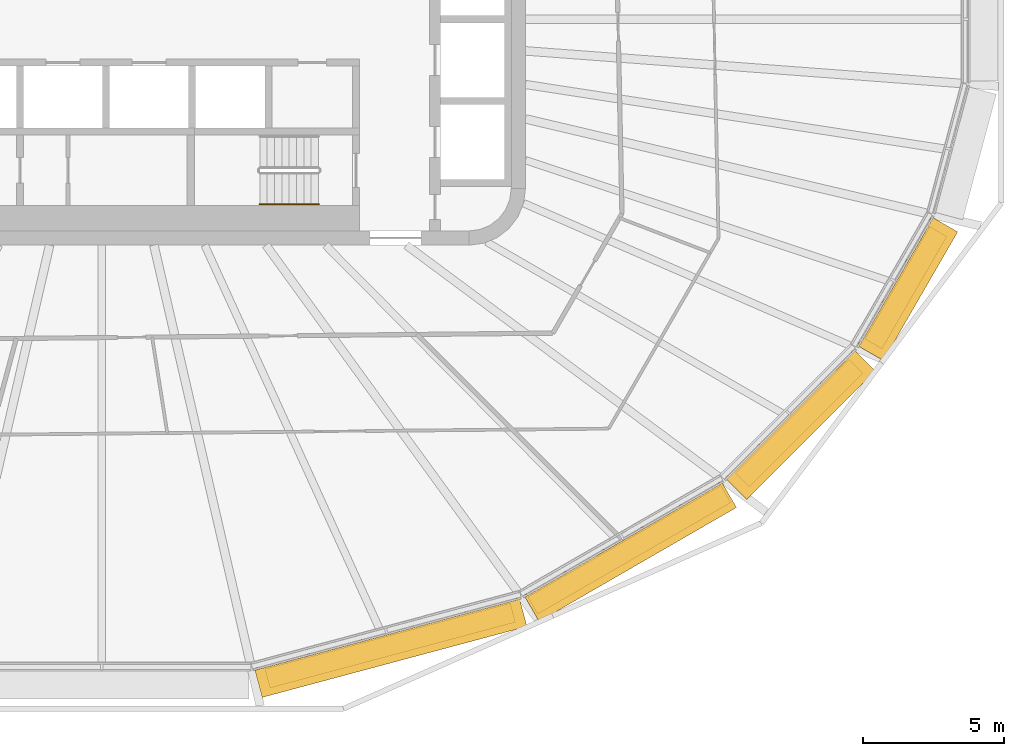
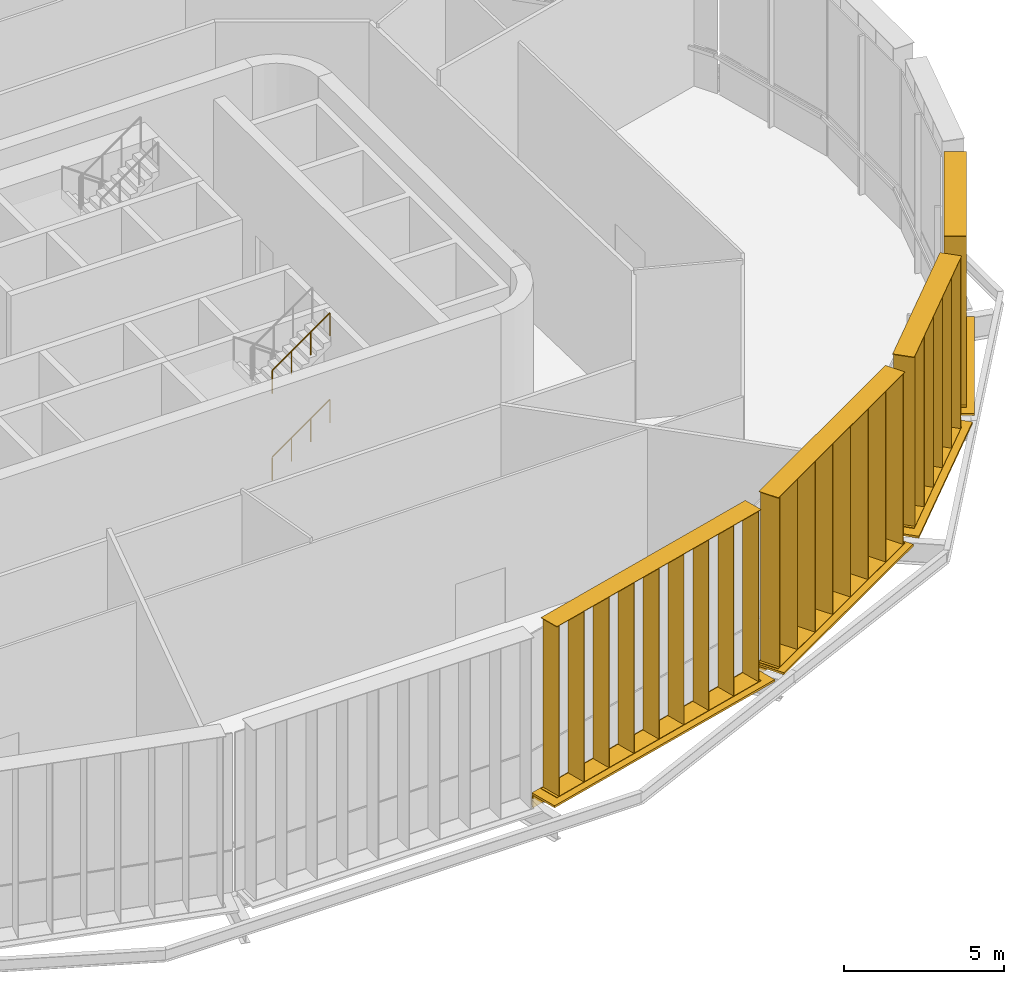
# One storey, part 16 of 18: 8 shading devices, 2 railings.
"""IFC4 building model written with IfcOpenShell, lengths in metres."""

from ifc_helpers import new_model, si_unit, direction, frame, origin, origin_2d, place, context, subcontext, project, spatial, rectangle, circle, extrude, material, type_object, element, save


model = new_model("IFC4")

# Units and contexts
model_context = context("Model", 3, precision=1e-05, world=origin(), true_north=direction((0.0, 1.0)))
body_context = subcontext(model_context, "Body", "Model", "MODEL_VIEW")
ifc_project = project(units=[si_unit("LENGTHUNIT", "METRE"), si_unit("AREAUNIT", "SQUARE_METRE"), si_unit("VOLUMEUNIT", "CUBIC_METRE"), si_unit("PLANEANGLEUNIT", "RADIAN"), si_unit("MASSUNIT", "GRAM", prefix="KILO")], contexts=[model_context])

# Site, building, storey
site_placement = place(None, origin())
site = spatial("IfcSite", under=ifc_project, at=site_placement, CompositionType="ELEMENT")
building_placement = place(site_placement, origin())
building = spatial("IfcBuilding", under=site, at=building_placement, Name="Sahrelin Media Tower", CompositionType="ELEMENT")
storey_placement = place(building_placement, frame((0.0, 0.0, 203.0)))
storey = spatial("IfcBuildingStorey", under=building, at=storey_placement, Name="L43", CompositionType="ELEMENT", Elevation=203.0)

# Shading devices
ifc_material_1 = material(Name="Champagne anodised aluminium 6063-T6", Category="aluminium")
shading_device_type_1 = type_object("IfcShadingDeviceType", Name="Fin cassette", PredefinedType="USERDEFINED", material=ifc_material_1)
placement_1 = place(storey_placement, frame((10.102294921875, -21.7705078125, 0.0), z_axis=(0.0, 0.0, 1.0), x_axis=(-0.965928857556, -0.258807731996, 0.0)))
element("IfcShadingDevice", 1, at=placement_1, inside=storey, type_object=shading_device_type_1, Name="L43:FIN:L43-19", ObjectType="FIN", PredefinedType="USERDEFINED", context=body_context, shape_type="SweptSolid", body=[
    extrude(rectangle(XDim=9.0, YDim=0.699951171875, at=origin_2d()), frame((0.0, 0.419921875, 0.0)), (0.0, 0.0, 1.0), 0.02001953125),
    extrude(rectangle(XDim=9.0, YDim=0.699951171875, at=origin_2d()), frame((0.0, 0.419921875, 6.5)), (0.0, 0.0, 1.0), 0.02001953125),
    extrude(rectangle(XDim=0.02001953125, YDim=0.699951171875, at=origin_2d()), frame((-4.39990234375, 0.419921875, 0.010009765625), z_axis=(0.0, 0.0, 1.0), x_axis=(1.0, 0.0, 0.0)), (0.0, 0.0, 1.0), 6.5),
    extrude(rectangle(XDim=0.02001953125, YDim=0.699951171875, at=origin_2d()), frame((-3.300048828125, 0.419921875, 0.010009765625), z_axis=(0.0, 0.0, 1.0), x_axis=(1.0, 0.0, 0.0)), (0.0, 0.0, 1.0), 6.5),
    extrude(rectangle(XDim=0.02001953125, YDim=0.699951171875, at=origin_2d()), frame((-2.199951171875, 0.419921875, 0.010009765625), z_axis=(0.0, 0.0, 1.0), x_axis=(1.0, 0.0, 0.0)), (0.0, 0.0, 1.0), 6.5),
    extrude(rectangle(XDim=0.02001953125, YDim=0.699951171875, at=origin_2d()), frame((-1.10009765625, 0.419921875, 0.010009765625), z_axis=(0.0, 0.0, 1.0), x_axis=(1.0, 0.0, 0.0)), (0.0, 0.0, 1.0), 6.5),
    extrude(rectangle(XDim=0.02001953125, YDim=0.699951171875, at=origin_2d()), frame((0.0, 0.419921875, 0.010009765625), z_axis=(0.0, 0.0, 1.0), x_axis=(1.0, 0.0, 0.0)), (0.0, 0.0, 1.0), 6.5),
    extrude(rectangle(XDim=0.02001953125, YDim=0.699951171875, at=origin_2d()), frame((1.10009765625, 0.419921875, 0.010009765625), z_axis=(0.0, 0.0, 1.0), x_axis=(1.0, 0.0, 0.0)), (0.0, 0.0, 1.0), 6.5),
    extrude(rectangle(XDim=0.02001953125, YDim=0.699951171875, at=origin_2d()), frame((2.199951171875, 0.419921875, 0.010009765625), z_axis=(0.0, 0.0, 1.0), x_axis=(1.0, 0.0, 0.0)), (0.0, 0.0, 1.0), 6.5),
    extrude(rectangle(XDim=0.02001953125, YDim=0.699951171875, at=origin_2d()), frame((3.300048828125, 0.419921875, 0.010009765625), z_axis=(0.0, 0.0, 1.0), x_axis=(1.0, 0.0, 0.0)), (0.0, 0.0, 1.0), 6.5),
    extrude(rectangle(XDim=0.02001953125, YDim=0.699951171875, at=origin_2d()), frame((4.39990234375, 0.419921875, 0.010009765625), z_axis=(0.0, 0.0, 1.0), x_axis=(1.0, 0.0, 0.0)), (0.0, 0.0, 1.0), 6.5),
])
placement_2 = place(storey_placement, frame((18.46728515625, -18.421142578125, 0.0), z_axis=(0.0, 0.0, 1.0), x_axis=(-0.866019052629, -0.500011000363, 0.0)))
element("IfcShadingDevice", 2, at=placement_2, inside=storey, type_object=shading_device_type_1, Name="L43:FIN:L43-20", ObjectType="FIN", PredefinedType="USERDEFINED", context=body_context, shape_type="SweptSolid", body=[
    extrude(rectangle(XDim=7.89990234375, YDim=0.699951171875, at=origin_2d()), frame((0.0, 0.419921875, 0.0)), (0.0, 0.0, 1.0), 0.02001953125),
    extrude(rectangle(XDim=7.89990234375, YDim=0.699951171875, at=origin_2d()), frame((0.0, 0.419921875, 6.5)), (0.0, 0.0, 1.0), 0.02001953125),
    extrude(rectangle(XDim=0.02001953125, YDim=0.699951171875, at=origin_2d()), frame((-3.85009765625, 0.419921875, 0.010009765625), z_axis=(0.0, 0.0, 1.0), x_axis=(1.0, 0.0, 0.0)), (0.0, 0.0, 1.0), 6.5),
    extrude(rectangle(XDim=0.02001953125, YDim=0.699951171875, at=origin_2d()), frame((-2.75, 0.419921875, 0.010009765625), z_axis=(0.0, 0.0, 1.0), x_axis=(1.0, 0.0, 0.0)), (0.0, 0.0, 1.0), 6.5),
    extrude(rectangle(XDim=0.02001953125, YDim=0.699951171875, at=origin_2d()), frame((-1.64990234375, 0.419921875, 0.010009765625), z_axis=(0.0, 0.0, 1.0), x_axis=(1.0, 0.0, 0.0)), (0.0, 0.0, 1.0), 6.5),
    extrude(rectangle(XDim=0.02001953125, YDim=0.699951171875, at=origin_2d()), frame((-0.550048828125, 0.419921875, 0.010009765625), z_axis=(0.0, 0.0, 1.0), x_axis=(1.0, 0.0, 0.0)), (0.0, 0.0, 1.0), 6.5),
    extrude(rectangle(XDim=0.02001953125, YDim=0.699951171875, at=origin_2d()), frame((0.550048828125, 0.419921875, 0.010009765625), z_axis=(0.0, 0.0, 1.0), x_axis=(1.0, 0.0, 0.0)), (0.0, 0.0, 1.0), 6.5),
    extrude(rectangle(XDim=0.02001953125, YDim=0.699951171875, at=origin_2d()), frame((1.64990234375, 0.419921875, 0.010009765625), z_axis=(0.0, 0.0, 1.0), x_axis=(1.0, 0.0, 0.0)), (0.0, 0.0, 1.0), 6.5),
    extrude(rectangle(XDim=0.02001953125, YDim=0.699951171875, at=origin_2d()), frame((2.75, 0.419921875, 0.010009765625), z_axis=(0.0, 0.0, 1.0), x_axis=(1.0, 0.0, 0.0)), (0.0, 0.0, 1.0), 6.5),
    extrude(rectangle(XDim=0.02001953125, YDim=0.699951171875, at=origin_2d()), frame((3.85009765625, 0.419921875, 0.010009765625), z_axis=(0.0, 0.0, 1.0), x_axis=(1.0, 0.0, 0.0)), (0.0, 0.0, 1.0), 6.5),
])
placement_3 = place(storey_placement, frame((24.3935546875, -14.00830078125, 0.0), z_axis=(0.0, 0.0, 1.0), x_axis=(-0.707106781187, -0.707106781187, 0.0)))
element("IfcShadingDevice", 3, at=placement_3, inside=storey, type_object=shading_device_type_1, Name="L43:FIN:L43-21", ObjectType="FIN", PredefinedType="USERDEFINED", context=body_context, shape_type="SweptSolid", body=[
    extrude(rectangle(XDim=5.699951171875, YDim=0.699951171875, at=origin_2d()), frame((0.0, 0.419921875, 0.0)), (0.0, 0.0, 1.0), 0.02001953125),
    extrude(rectangle(XDim=5.699951171875, YDim=0.699951171875, at=origin_2d()), frame((0.0, 0.419921875, 6.5)), (0.0, 0.0, 1.0), 0.02001953125),
    extrude(rectangle(XDim=0.02001953125, YDim=0.699951171875, at=origin_2d()), frame((-2.75, 0.419921875, 0.010009765625), z_axis=(0.0, 0.0, 1.0), x_axis=(1.0, 0.0, 0.0)), (0.0, 0.0, 1.0), 6.5),
    extrude(rectangle(XDim=0.02001953125, YDim=0.699951171875, at=origin_2d()), frame((-1.64990234375, 0.419921875, 0.010009765625), z_axis=(0.0, 0.0, 1.0), x_axis=(1.0, 0.0, 0.0)), (0.0, 0.0, 1.0), 6.5),
    extrude(rectangle(XDim=0.02001953125, YDim=0.699951171875, at=origin_2d()), frame((-0.550048828125, 0.419921875, 0.010009765625), z_axis=(0.0, 0.0, 1.0), x_axis=(1.0, 0.0, 0.0)), (0.0, 0.0, 1.0), 6.5),
    extrude(rectangle(XDim=0.02001953125, YDim=0.699951171875, at=origin_2d()), frame((0.550048828125, 0.419921875, 0.010009765625), z_axis=(0.0, 0.0, 1.0), x_axis=(1.0, 0.0, 0.0)), (0.0, 0.0, 1.0), 6.5),
    extrude(rectangle(XDim=0.02001953125, YDim=0.699951171875, at=origin_2d()), frame((1.64990234375, 0.419921875, 0.010009765625), z_axis=(0.0, 0.0, 1.0), x_axis=(1.0, 0.0, 0.0)), (0.0, 0.0, 1.0), 6.5),
    extrude(rectangle(XDim=0.02001953125, YDim=0.699951171875, at=origin_2d()), frame((2.75, 0.419921875, 0.010009765625), z_axis=(0.0, 0.0, 1.0), x_axis=(1.0, 0.0, 0.0)), (0.0, 0.0, 1.0), 6.5),
])
placement_4 = place(storey_placement, frame((28.10498046875, -9.297119140625, 0.0), z_axis=(0.0, 0.0, 1.0), x_axis=(-0.500011000363, -0.866019052629, 0.0)))
element("IfcShadingDevice", 4, at=placement_4, inside=storey, type_object=shading_device_type_1, Name="L43:FIN:L43-22", ObjectType="FIN", PredefinedType="USERDEFINED", context=body_context, shape_type="SweptSolid", body=[
    extrude(rectangle(XDim=4.60009765625, YDim=0.699951171875, at=origin_2d()), frame((0.0, 0.419921875, 0.0)), (0.0, 0.0, 1.0), 0.02001953125),
    extrude(rectangle(XDim=4.60009765625, YDim=0.699951171875, at=origin_2d()), frame((0.0, 0.419921875, 6.5)), (0.0, 0.0, 1.0), 0.02001953125),
    extrude(rectangle(XDim=0.02001953125, YDim=0.699951171875, at=origin_2d()), frame((-2.199951171875, 0.419921875, 0.010009765625), z_axis=(0.0, 0.0, 1.0), x_axis=(1.0, 0.0, 0.0)), (0.0, 0.0, 1.0), 6.5),
    extrude(rectangle(XDim=0.02001953125, YDim=0.699951171875, at=origin_2d()), frame((-1.10009765625, 0.419921875, 0.010009765625), z_axis=(0.0, 0.0, 1.0), x_axis=(1.0, 0.0, 0.0)), (0.0, 0.0, 1.0), 6.5),
    extrude(rectangle(XDim=0.02001953125, YDim=0.699951171875, at=origin_2d()), frame((0.0, 0.419921875, 0.010009765625), z_axis=(0.0, 0.0, 1.0), x_axis=(1.0, 0.0, 0.0)), (0.0, 0.0, 1.0), 6.5),
    extrude(rectangle(XDim=0.02001953125, YDim=0.699951171875, at=origin_2d()), frame((1.10009765625, 0.419921875, 0.010009765625), z_axis=(0.0, 0.0, 1.0), x_axis=(1.0, 0.0, 0.0)), (0.0, 0.0, 1.0), 6.5),
    extrude(rectangle(XDim=0.02001953125, YDim=0.699951171875, at=origin_2d()), frame((2.199951171875, 0.419921875, 0.010009765625), z_axis=(0.0, 0.0, 1.0), x_axis=(1.0, 0.0, 0.0)), (0.0, 0.0, 1.0), 6.5),
])

# Railings
ifc_material_2 = material(Name="Steel S355", Category="steel")
railing_type = type_object("IfcRailingType", Name="Stair handrail 900", PredefinedType="HANDRAIL", material=ifc_material_2)
for number, where, name in (
    (5, (5.594970703125, -6.550048828125, 1.833251953125), "L43 ST2 stair handrail 2"),
    (6, (5.594970703125, -6.550048828125, 5.13330078125), "L43 ST2 stair handrail 4"),
):
    element("IfcRailing", number, at=place(storey_placement, frame(where)), inside=storey, type_object=railing_type, Name=name, PredefinedType="HANDRAIL", context=body_context, shape_type="SweptSolid", body=[
        extrude(circle(Radius=0.02392578125, at=origin_2d()), frame((0.0, 0.0, 0.8759765625), z_axis=(0.81724423362, 0.0, 0.576291473661), x_axis=(0.0, 1.0, 0.0)), (0.0, 0.0, 1.0), 2.545166015625),
        extrude(circle(Radius=0.02099609375, at=origin_2d()), origin(), (0.0, 0.0, 1.0), 0.851806640625),
        extrude(circle(Radius=0.02099609375, at=origin_2d()), frame((0.693359375, 0.0, 0.489013671875)), (0.0, 0.0, 1.0), 0.851806640625),
        extrude(circle(Radius=0.02099609375, at=origin_2d()), frame((1.38671875, 0.0, 0.977783203125)), (0.0, 0.0, 1.0), 0.851806640625),
        extrude(circle(Radius=0.02099609375, at=origin_2d()), frame((2.080078125, 0.0, 1.466796875)), (0.0, 0.0, 1.0), 0.851806640625),
    ])

# Shading devices
shading_device_type_2 = type_object("IfcShadingDeviceType", Name="Sunshade band", PredefinedType="USERDEFINED", material=ifc_material_1)
element("IfcShadingDevice", 7, at=placement_1, inside=storey, type_object=shading_device_type_2, Name="L43:SUN:L43-19", ObjectType="SUNSHADE", PredefinedType="USERDEFINED", context=body_context, shape_type="SweptSolid", body=[
    extrude(rectangle(XDim=9.706787109375, YDim=0.050048828125, at=origin_2d()), frame((0.0, 0.044921875, -0.55126953125)), (0.0, 0.0, 1.0), 0.471435546875),
    extrude(rectangle(XDim=9.706787109375, YDim=1.0, at=origin_2d()), frame((0.0, 0.52001953125, -0.080078125)), (0.0, 0.0, 1.0), 0.080078125),
    extrude(rectangle(XDim=0.10009765625, YDim=0.074951171875, at=origin_2d()), frame((-4.75341796875, -0.017578125, -0.52001953125)), (0.0, 0.0, 1.0), 0.300048828125),
    extrude(rectangle(XDim=0.10009765625, YDim=0.074951171875, at=origin_2d()), frame((-2.85205078125, -0.017578125, -0.52001953125)), (0.0, 0.0, 1.0), 0.300048828125),
    extrude(rectangle(XDim=0.10009765625, YDim=0.074951171875, at=origin_2d()), frame((-0.95068359375, -0.017578125, -0.52001953125)), (0.0, 0.0, 1.0), 0.300048828125),
    extrude(rectangle(XDim=0.10009765625, YDim=0.074951171875, at=origin_2d()), frame((0.95068359375, -0.017578125, -0.52001953125)), (0.0, 0.0, 1.0), 0.300048828125),
    extrude(rectangle(XDim=0.10009765625, YDim=0.074951171875, at=origin_2d()), frame((2.85205078125, -0.017578125, -0.52001953125)), (0.0, 0.0, 1.0), 0.300048828125),
    extrude(rectangle(XDim=0.10009765625, YDim=0.074951171875, at=origin_2d()), frame((4.75341796875, -0.017578125, -0.52001953125)), (0.0, 0.0, 1.0), 0.300048828125),
])
element("IfcShadingDevice", 8, at=placement_2, inside=storey, type_object=shading_device_type_2, Name="L43:SUN:L43-20", ObjectType="SUNSHADE", PredefinedType="USERDEFINED", context=body_context, shape_type="SweptSolid", body=[
    extrude(rectangle(XDim=8.068359375, YDim=0.050048828125, at=origin_2d()), frame((0.0, 0.044921875, -0.55126953125)), (0.0, 0.0, 1.0), 0.471435546875),
    extrude(rectangle(XDim=8.068359375, YDim=1.0, at=origin_2d()), frame((0.0, 0.52001953125, -0.080078125)), (0.0, 0.0, 1.0), 0.080078125),
    extrude(rectangle(XDim=0.10009765625, YDim=0.074951171875, at=origin_2d()), frame((-3.93408203125, -0.017578125, -0.52001953125)), (0.0, 0.0, 1.0), 0.300048828125),
    extrude(rectangle(XDim=0.10009765625, YDim=0.074951171875, at=origin_2d()), frame((-2.360595703125, -0.017578125, -0.52001953125)), (0.0, 0.0, 1.0), 0.300048828125),
    extrude(rectangle(XDim=0.10009765625, YDim=0.074951171875, at=origin_2d()), frame((-0.786865234375, -0.017578125, -0.52001953125)), (0.0, 0.0, 1.0), 0.300048828125),
    extrude(rectangle(XDim=0.10009765625, YDim=0.074951171875, at=origin_2d()), frame((0.786865234375, -0.017578125, -0.52001953125)), (0.0, 0.0, 1.0), 0.300048828125),
    extrude(rectangle(XDim=0.10009765625, YDim=0.074951171875, at=origin_2d()), frame((2.360595703125, -0.017578125, -0.52001953125)), (0.0, 0.0, 1.0), 0.300048828125),
    extrude(rectangle(XDim=0.10009765625, YDim=0.074951171875, at=origin_2d()), frame((3.93408203125, -0.017578125, -0.52001953125)), (0.0, 0.0, 1.0), 0.300048828125),
])
element("IfcShadingDevice", 9, at=placement_3, inside=storey, type_object=shading_device_type_2, Name="L43:SUN:L43-21", ObjectType="SUNSHADE", PredefinedType="USERDEFINED", context=body_context, shape_type="SweptSolid", body=[
    extrude(rectangle(XDim=6.435302734375, YDim=0.050048828125, at=origin_2d()), frame((0.0, 0.044921875, -0.55126953125)), (0.0, 0.0, 1.0), 0.471435546875),
    extrude(rectangle(XDim=6.435302734375, YDim=1.0, at=origin_2d()), frame((0.0, 0.52001953125, -0.080078125)), (0.0, 0.0, 1.0), 0.080078125),
    extrude(rectangle(XDim=0.10009765625, YDim=0.074951171875, at=origin_2d()), frame((-3.11767578125, -0.017578125, -0.52001953125)), (0.0, 0.0, 1.0), 0.300048828125),
    extrude(rectangle(XDim=0.10009765625, YDim=0.074951171875, at=origin_2d()), frame((-1.558837890625, -0.017578125, -0.52001953125)), (0.0, 0.0, 1.0), 0.300048828125),
    extrude(rectangle(XDim=0.10009765625, YDim=0.074951171875, at=origin_2d()), frame((0.0, -0.017578125, -0.52001953125)), (0.0, 0.0, 1.0), 0.300048828125),
    extrude(rectangle(XDim=0.10009765625, YDim=0.074951171875, at=origin_2d()), frame((1.558837890625, -0.017578125, -0.52001953125)), (0.0, 0.0, 1.0), 0.300048828125),
    extrude(rectangle(XDim=0.10009765625, YDim=0.074951171875, at=origin_2d()), frame((3.11767578125, -0.017578125, -0.52001953125)), (0.0, 0.0, 1.0), 0.300048828125),
])
element("IfcShadingDevice", 10, at=placement_4, inside=storey, type_object=shading_device_type_2, Name="L43:SUN:L43-22", ObjectType="SUNSHADE", PredefinedType="USERDEFINED", context=body_context, shape_type="SweptSolid", body=[
    extrude(rectangle(XDim=5.261962890625, YDim=0.050048828125, at=origin_2d()), frame((0.0, 0.044921875, -0.55126953125)), (0.0, 0.0, 1.0), 0.471435546875),
    extrude(rectangle(XDim=5.261962890625, YDim=1.0, at=origin_2d()), frame((0.0, 0.52001953125, -0.080078125)), (0.0, 0.0, 1.0), 0.080078125),
    extrude(rectangle(XDim=0.10009765625, YDim=0.074951171875, at=origin_2d()), frame((-2.531005859375, -0.017578125, -0.52001953125)), (0.0, 0.0, 1.0), 0.300048828125),
    extrude(rectangle(XDim=0.10009765625, YDim=0.074951171875, at=origin_2d()), frame((-0.84375, -0.017578125, -0.52001953125)), (0.0, 0.0, 1.0), 0.300048828125),
    extrude(rectangle(XDim=0.10009765625, YDim=0.074951171875, at=origin_2d()), frame((0.84375, -0.017578125, -0.52001953125)), (0.0, 0.0, 1.0), 0.300048828125),
    extrude(rectangle(XDim=0.10009765625, YDim=0.074951171875, at=origin_2d()), frame((2.531005859375, -0.017578125, -0.52001953125)), (0.0, 0.0, 1.0), 0.300048828125),
])

save(model, "model.ifc")
